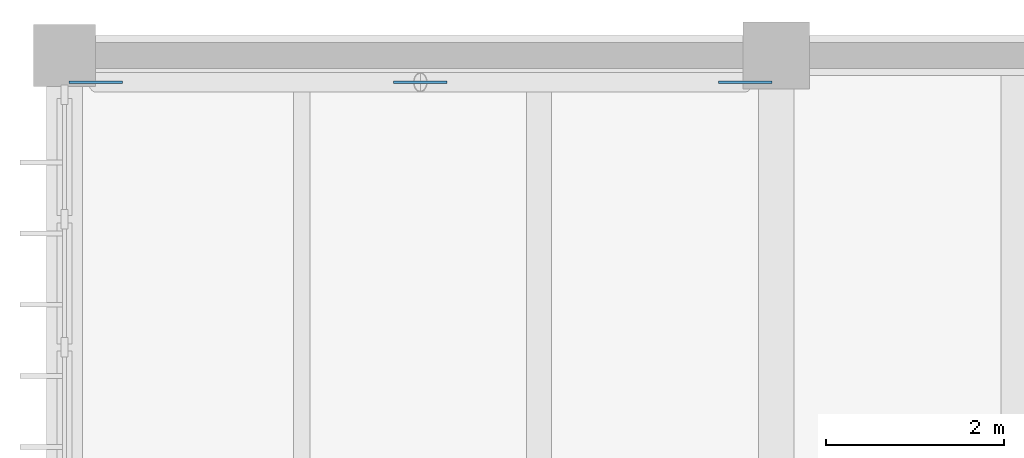
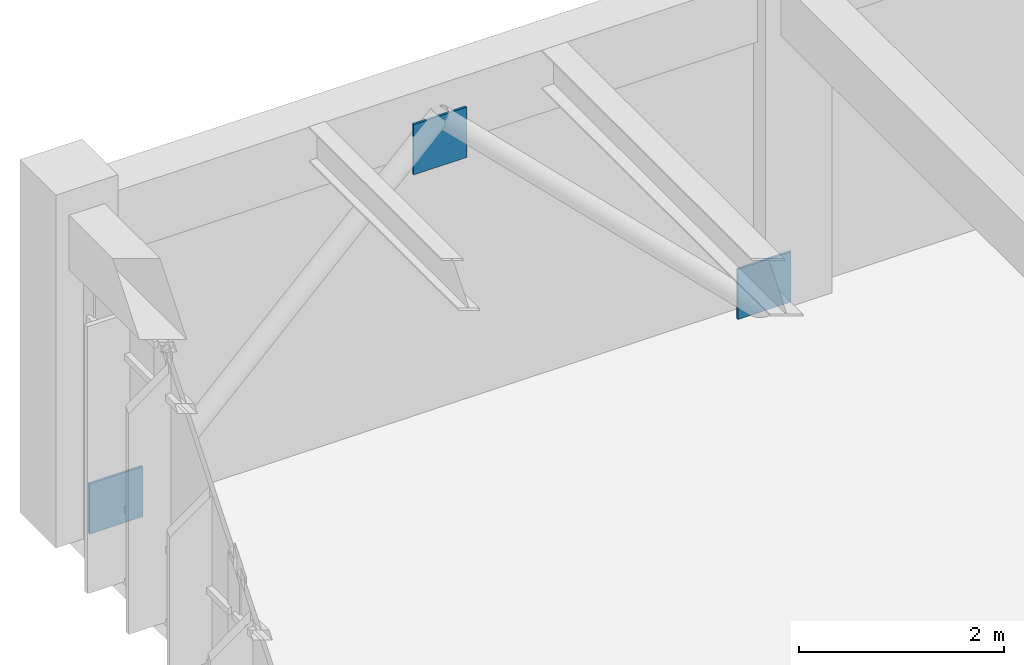
# One storey, part 40 of 67: 3 plates.
"""IFC4 building model written with IfcOpenShell, lengths in metres."""

import ifcopenshell
import ifcopenshell.guid

model = None  # the IFC model being written
_history = None  # IfcOwnerHistory: only IFC2X3 demands one
_inside = {}  # id of a spatial element -> (the spatial element, [elements in it])
_under = {}  # id of a project, library or spatial element -> (it, [spatial elements below it])
_declared = {}  # id of a project -> (the project, [libraries it declares])
_typed = {}  # id of a type object -> (the type object, [elements of that type])
_made_of = {}  # id of a material, layer set ... -> (it, [elements and type objects made of it])


def new_model(schema):
    """Start an empty IFC model of exactly this schema.

    Asked for "IFC4X3", IfcOpenShell would pick the latest addendum, in which some entities
    have other attributes; the version numbers below select the first issue.
    IFC2X3 requires an IfcOwnerHistory on every rooted entity: one is made here for all.
    """
    global model, _history
    if schema == "IFC4X3":
        model = ifcopenshell.file(schema_version=(4, 3, 0, 0))
    else:
        model = ifcopenshell.file(schema=schema)
    _inside.clear()
    _under.clear()
    _declared.clear()
    _typed.clear()
    _made_of.clear()
    _history = None
    if model.schema == "IFC2X3":
        org = make("IfcOrganization", Name="unknown")
        user = make(
            "IfcPersonAndOrganization",
            ThePerson=make("IfcPerson", FamilyName="unknown"),
            TheOrganization=org,
        )
        app = make(
            "IfcApplication",
            ApplicationDeveloper=org,
            Version="unknown",
            ApplicationFullName="unknown",
            ApplicationIdentifier="unknown",
        )
        _history = make(
            "IfcOwnerHistory",
            OwningUser=user,
            OwningApplication=app,
            ChangeAction="ADDED",
            CreationDate=0,
        )
    return model


def make(cls, **values):
    """One entity of the class cls with the attributes given. An attribute that is None is left unset."""
    return model.create_entity(
        cls, **{name: value for name, value in values.items() if value is not None}
    )


def rooted(cls, **values):
    """An entity with a GlobalId (a new one), such as an element, a storey or a relation."""
    return make(cls, GlobalId=ifcopenshell.guid.new(), OwnerHistory=_history, **values)


def si_unit(unit_type, name, prefix=None):
    """IfcSIUnit, for example si_unit("LENGTHUNIT", "METRE", prefix="MILLI")."""
    return make("IfcSIUnit", UnitType=unit_type, Prefix=prefix, Name=name)


def assignment(units):
    """IfcUnitAssignment: the units of a project."""
    return None if units is None else make("IfcUnitAssignment", Units=units)


def point(xyz):
    """IfcCartesianPoint."""
    return None if xyz is None else make("IfcCartesianPoint", Coordinates=xyz)


def direction(xyz):
    """IfcDirection."""
    return None if xyz is None else make("IfcDirection", DirectionRatios=xyz)


def frame(location, z_axis=None, x_axis=None):
    """IfcAxis2Placement3D, a coordinate frame: its origin and axes. An axis left out is left unset."""
    return make(
        "IfcAxis2Placement3D",
        Location=point(location),
        Axis=direction(z_axis),
        RefDirection=direction(x_axis),
    )


def frame_2d(location, x_axis=None):
    """IfcAxis2Placement2D, a coordinate frame in the plane: its origin and x axis."""
    return make(
        "IfcAxis2Placement2D", Location=point(location), RefDirection=direction(x_axis)
    )


def origin():
    """The frame at (0, 0, 0) with its axes left unset."""
    return frame((0.0, 0.0, 0.0))


def origin_2d():
    """The frame at (0, 0) in the plane with its x axis left unset."""
    return frame_2d((0.0, 0.0))


def place(relative_to, where):
    """IfcLocalPlacement: puts the frame where relative to a parent placement (None: the world)."""
    return make(
        "IfcLocalPlacement", PlacementRelTo=relative_to, RelativePlacement=where
    )


def context(
    kind, dimensions, precision=None, world=None, true_north=None, identifier=None
):
    """IfcGeometricRepresentationContext, for example the 3D "Model" context."""
    return make(
        "IfcGeometricRepresentationContext",
        ContextIdentifier=identifier,
        ContextType=kind,
        CoordinateSpaceDimension=dimensions,
        Precision=precision,
        WorldCoordinateSystem=world,
        TrueNorth=true_north,
    )


def subcontext(parent, identifier, kind, view, scale=None):
    """IfcGeometricRepresentationSubContext, for example "Body" below "Model"."""
    return make(
        "IfcGeometricRepresentationSubContext",
        ContextIdentifier=identifier,
        ContextType=kind,
        ParentContext=parent,
        TargetScale=scale,
        TargetView=view,
    )


def project(units=None, contexts=None):
    """IfcProject with its units and contexts."""
    return rooted(
        "IfcProject",
        Name="project",
        RepresentationContexts=contexts,
        UnitsInContext=assignment(units),
    )


def spatial(cls, under=None, at=None, **own):
    """A site, building, storey or space (cls), placed at a placement, below another one or the project."""
    s = rooted(cls, ObjectPlacement=at, **own)
    if under is not None:
        _under.setdefault(under.id(), (under, []))[1].append(s)
    return s


def profile(cls, at=None, kind="AREA", **sizes):
    """A parametric profile (cls). Its sizes go by their IFC names, for example OverallWidth=200.0."""
    return make(cls, ProfileType=kind, Position=at, **sizes)


def rectangle(**sizes):
    """IfcRectangleProfileDef."""
    return profile("IfcRectangleProfileDef", **sizes)


def extrude(swept, where, along, depth):
    """IfcExtrudedAreaSolid: the profile swept, set in the frame where, extruded along a direction by depth."""
    return make(
        "IfcExtrudedAreaSolid",
        SweptArea=swept,
        Position=where,
        ExtrudedDirection=direction(along),
        Depth=depth,
    )


def shape(context_of_items, identifier, shape_type, items):
    """IfcShapeRepresentation: the items that make up one representation, for example the "Body"."""
    return make(
        "IfcShapeRepresentation",
        ContextOfItems=context_of_items,
        RepresentationIdentifier=identifier,
        RepresentationType=shape_type,
        Items=items,
    )


def material(Name=None, Category=None):
    """IfcMaterial."""
    return make("IfcMaterial", Name=Name, Category=Category)


def layer(
    of_material, thickness, ventilated=None, Name=None, Category=None, Priority=None
):
    """IfcMaterialLayer: one layer of a wall or slab, of a material (None: an air gap)."""
    return make(
        "IfcMaterialLayer",
        Material=of_material,
        LayerThickness=thickness,
        IsVentilated=ventilated,
        Name=Name,
        Category=Category,
        Priority=Priority,
    )


def layer_set(layers, Name=None):
    """IfcMaterialLayerSet."""
    return make("IfcMaterialLayerSet", MaterialLayers=layers, LayerSetName=Name)


def made_of(thing, what):
    """Note that an element or type object is made of a material, layer set ...; save() writes the relation."""
    if what is not None:
        _made_of.setdefault(what.id(), (what, []))[1].append(thing)
    return thing


def type_object(cls, material=None, **own):
    """A type object (cls), such as IfcWallType, which elements share."""
    return made_of(rooted(cls, **own), material)


def element(
    cls,
    number,
    at=None,
    inside=None,
    cuts=None,
    type_object=None,
    material=None,
    context=None,
    identifier="Body",
    shape_type=None,
    held_by="IfcProductDefinitionShape",
    body=None,
    shapes=None,
    **own,
):
    """One element of the class cls, such as IfcWall. Its Tag is "e" and its number.

    at: its placement. inside: the storey or other place that contains it. cuts: it is an
    opening in that element (IfcRelVoidsElement). A single representation is given by context,
    identifier, shape_type and body (its items); several are given by shapes. held_by: the class
    of the entity that holds the representations. save() writes the other relations.
    """
    e = rooted(cls, Tag="e%d" % number, ObjectPlacement=at, **own)
    if body is not None:
        shapes = [shape(context, identifier, shape_type, body)]
    if shapes is not None:
        e.Representation = make(held_by, Representations=shapes)
    if inside is not None:
        _inside.setdefault(inside.id(), (inside, []))[1].append(e)
    if cuts is not None:
        rooted(
            "IfcRelVoidsElement", RelatingBuildingElement=cuts, RelatedOpeningElement=e
        )
    if type_object is not None:
        _typed.setdefault(type_object.id(), (type_object, []))[1].append(e)
    return made_of(e, material)


def aggregate(whole, parts):
    """IfcRelAggregates: a whole, such as a stair, and the parts it consists of."""
    return rooted("IfcRelAggregates", RelatingObject=whole, RelatedObjects=parts)


def save(model, path):
    """Write the relations noted so far, then the file.

    IfcRelAggregates (storeys below a building ...), IfcRelContainedInSpatialStructure (elements
    in a storey), IfcRelDefinesByType, IfcRelAssociatesMaterial and IfcRelDeclares: one each for
    every whole, place, type object, material and project.
    """
    for whole, parts in _under.values():
        aggregate(whole, parts)
    for where, things in _inside.values():
        rooted(
            "IfcRelContainedInSpatialStructure",
            RelatedElements=things,
            RelatingStructure=where,
        )
    for kind, things in _typed.values():
        rooted("IfcRelDefinesByType", RelatedObjects=things, RelatingType=kind)
    for what, things in _made_of.values():
        rooted("IfcRelAssociatesMaterial", RelatedObjects=things, RelatingMaterial=what)
    for by, libraries in _declared.values():
        rooted("IfcRelDeclares", RelatingContext=by, RelatedDefinitions=libraries)
    model.write(path)


model = new_model("IFC4")

# Units and contexts
model_context = context("Model", 3, precision=1e-05, world=origin(), true_north=direction((0.0, 1.0)))
body_context = subcontext(model_context, "Body", "Model", "MODEL_VIEW")
ifc_project = project(units=[si_unit("LENGTHUNIT", "METRE"), si_unit("AREAUNIT", "SQUARE_METRE"), si_unit("VOLUMEUNIT", "CUBIC_METRE"), si_unit("PLANEANGLEUNIT", "RADIAN"), si_unit("MASSUNIT", "GRAM", prefix="KILO")], contexts=[model_context])

# Site, building, storey
site_placement = place(None, origin())
site = spatial("IfcSite", under=ifc_project, at=site_placement, CompositionType="ELEMENT")
building_placement = place(site_placement, origin())
building = spatial("IfcBuilding", under=site, at=building_placement, Name="Tlaxcora Railside Police Headquarters", CompositionType="ELEMENT")
storey_placement = place(building_placement, frame((0.0, 0.0, 4.800048828125)))
storey = spatial("IfcBuildingStorey", under=building, at=storey_placement, Name="L01", CompositionType="ELEMENT", Elevation=4.800048828125)

# Plates
ifc_material = material(Name="Steel ASTM A992 Grade 50", Category="steel")
ifc_layer = layer(ifc_material, 0.02490234375, Name="Steel ASTM A992 Grade 50")
ifc_layer_set = layer_set([ifc_layer], Name="Steel ASTM A992 Grade 50")
plate_type = type_object("IfcPlateType", Name="Structural Gusset or Cap Plate GP-22", PredefinedType="USERDEFINED", material=ifc_layer_set)
for number, where, z_axis, x_axis, name in (
    (1, (5.550048828125, 92.5, 0.0), (0.0, 0.0, 1.0), (1.0, 0.0, 0.0), "Chevron brace 1 gusset plate L"),
    (2, (12.85009765625, 92.5, 0.0), (0.0, 0.0, 1.0), (1.0, 0.0, 0.0), "Chevron brace 1 gusset plate R"),
    (3, (9.199951171875, 92.5, 3.0), (0.0, 0.0, 1.0), (1.0, 0.0, 0.0), "Chevron brace 1 gusset plate APEX"),
):
    element("IfcPlate", number, at=place(storey_placement, frame(where, z_axis=z_axis, x_axis=x_axis)), inside=storey, type_object=plate_type, Name=name, ObjectType="GUSSET PLATE", PredefinedType="USERDEFINED", context=body_context, shape_type="SweptSolid", body=[
        extrude(rectangle(XDim=0.60009765625, YDim=0.02490234375, at=origin_2d()), origin(), (0.0, 0.0, 1.0), 0.60009765625),
    ])

save(model, "model.ifc")
